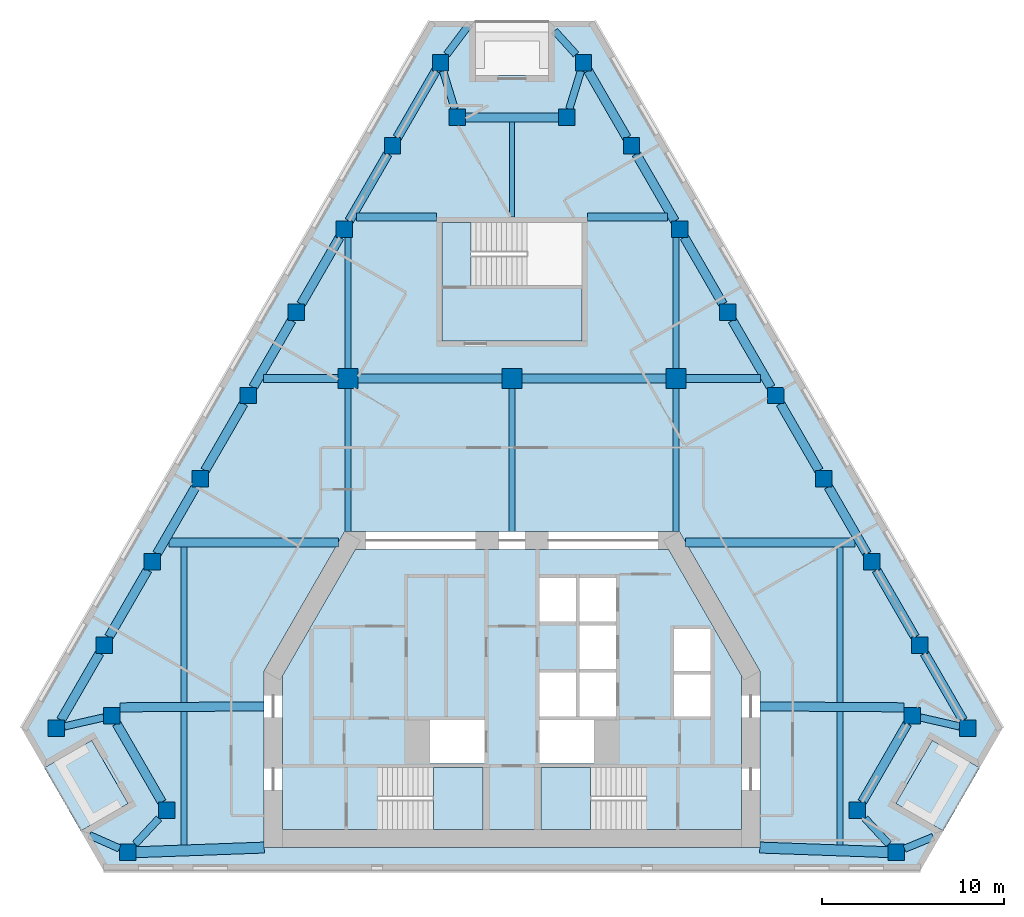
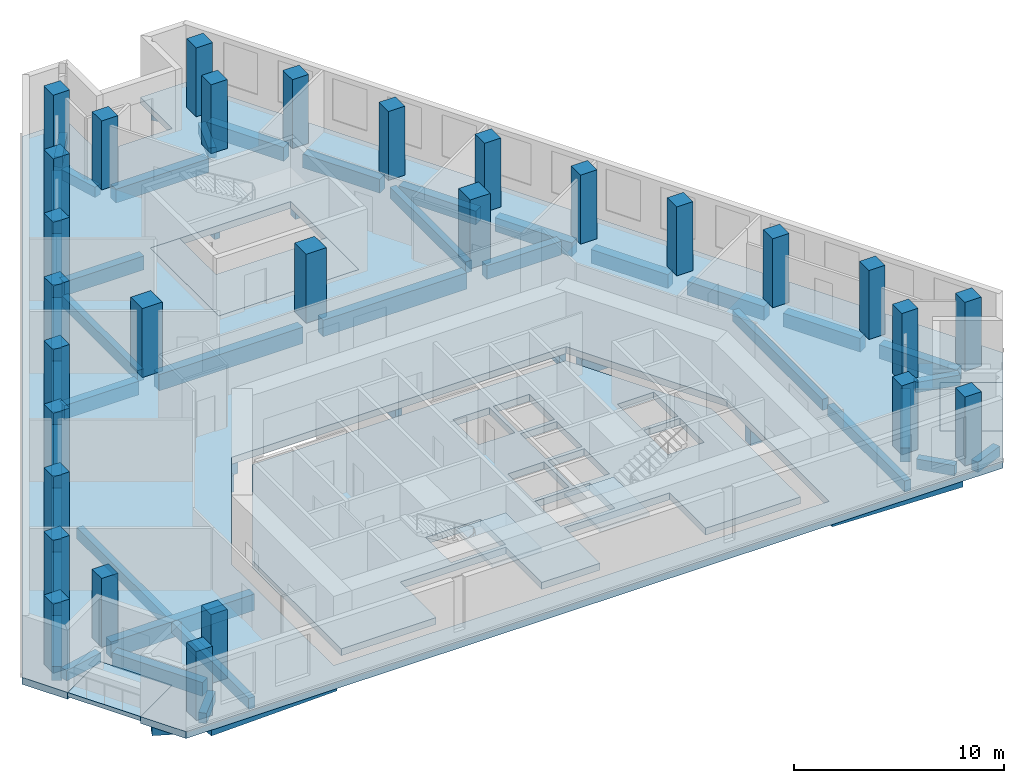
# One storey, part 1 of 8: 51 beams, 29 columns, 7 slabs, 2 elements without a shape of their own.
"""IFC4 building model written with IfcOpenShell, lengths in metres."""

from ifc_helpers import new_model, si_unit, direction, frame, origin, origin_2d, place, context, subcontext, project, spatial, polyline, rectangle, outline, extrude, material, layer, layer_set, material_profile, profile_set, type_object, element, aggregate, save


model = new_model("IFC4")

# Units and contexts
model_context = context("Model", 3, precision=1e-05, world=origin(), true_north=direction((0.0, 1.0)))
body_context = subcontext(model_context, "Body", "Model", "MODEL_VIEW")
ifc_project = project(units=[si_unit("LENGTHUNIT", "METRE"), si_unit("AREAUNIT", "SQUARE_METRE"), si_unit("VOLUMEUNIT", "CUBIC_METRE"), si_unit("PLANEANGLEUNIT", "RADIAN"), si_unit("MASSUNIT", "GRAM", prefix="KILO")], contexts=[model_context])

# Site, building, storey
site_placement = place(None, origin())
site = spatial("IfcSite", under=ifc_project, at=site_placement, CompositionType="ELEMENT")
building_placement = place(site_placement, origin())
building = spatial("IfcBuilding", under=site, at=building_placement, Name="Fogline Exchange Tower", CompositionType="ELEMENT")
storey_placement = place(building_placement, frame((0.0, 0.0, 227.5)))
storey = spatial("IfcBuildingStorey", under=building, at=storey_placement, Name="L51", CompositionType="ELEMENT", Elevation=227.5)

# Columns
ifc_material_1 = material(Name="Concrete C60", Category="concrete")
ifc_material_profile_1 = material_profile(ifc_material_1, rectangle(XDim=1.10009765625, YDim=1.10009765625, at=origin_2d()), Name="RC 1100x1100")
ifc_profile_set_1 = profile_set([ifc_material_profile_1], Name="Concrete C60")
column_type_1 = type_object("IfcColumnType", Name="C05", PredefinedType="COLUMN", material=ifc_profile_set_1)
for number, where, z_axis, x_axis, name in (
    (1, (-9.0, 27.0, 0.0), (0.0, 0.0, 1.0), (1.0, 0.0, 0.0), "IC--9-27"),
    (2, (0.0, 27.0, 0.0), (0.0, 0.0, 1.0), (1.0, 0.0, 0.0), "IC-0-27"),
    (3, (9.0, 27.0, 0.0), (0.0, 0.0, 1.0), (1.0, 0.0, 0.0), "IC-9-27"),
):
    element("IfcColumn", number, at=place(storey_placement, frame(where, z_axis=z_axis, x_axis=x_axis)), inside=storey, type_object=column_type_1, Name=name, PredefinedType="COLUMN", context=body_context, shape_type="SweptSolid", body=[
        extrude(rectangle(XDim=1.10009765625, YDim=1.10009765625, at=origin_2d()), origin(), (0.0, 0.0, 1.0), 4.0),
    ])
ifc_material_profile_2 = material_profile(ifc_material_1, rectangle(XDim=0.89990234375, YDim=0.89990234375, at=origin_2d()), Name="RC 900x900")
ifc_profile_set_2 = profile_set([ifc_material_profile_2], Name="Concrete C60")
column_type_2 = type_object("IfcColumnType", Name="C06", PredefinedType="COLUMN", material=ifc_profile_set_2)
for number, where, z_axis, x_axis, name in (
    (4, (-25.0146484375, 7.794189453125, 0.0), (0.0, 0.0, 1.0), (1.0, 0.0, 0.0), "SW-a"),
    (5, (-21.955322265625, 8.4951171875, 0.0), (0.0, 0.0, 1.0), (1.0, 0.0, 0.0), "SW-p4"),
    (6, (-18.955322265625, 3.299072265625, 0.0), (0.0, 0.0, 1.0), (1.0, 0.0, 0.0), "SW-p3"),
    (7, (-21.092041015625, 1.0, 0.0), (0.0, 0.0, 1.0), (1.0, 0.0, 0.0), "SW-b"),
    (8, (21.092041015625, 1.0, 0.0), (0.0, 0.0, 1.0), (1.0, 0.0, 0.0), "SE-a"),
    (9, (18.955322265625, 3.299072265625, 0.0), (0.0, 0.0, 1.0), (1.0, 0.0, 0.0), "SE-p4"),
    (10, (21.955322265625, 8.4951171875, 0.0), (0.0, 0.0, 1.0), (1.0, 0.0, 0.0), "SE-p3"),
    (11, (25.0146484375, 7.794189453125, 0.0), (0.0, 0.0, 1.0), (1.0, 0.0, 0.0), "SE-b"),
    (12, (22.378173828125, 12.36083984375, 0.0), (0.0, 0.0, 1.0), (1.0, 0.0, 0.0), "E1"),
    (13, (19.74169921875, 16.92724609375, 0.0), (0.0, 0.0, 1.0), (1.0, 0.0, 0.0), "E2"),
    (14, (17.105224609375, 21.493896484375, 0.0), (0.0, 0.0, 1.0), (1.0, 0.0, 0.0), "E3"),
    (15, (14.46875, 26.060302734375, 0.0), (0.0, 0.0, 1.0), (1.0, 0.0, 0.0), "E4"),
    (16, (11.832275390625, 30.626953125, 0.0), (0.0, 0.0, 1.0), (1.0, 0.0, 0.0), "E5"),
    (17, (9.19580078125, 35.193603515625, 0.0), (0.0, 0.0, 1.0), (1.0, 0.0, 0.0), "E6"),
    (18, (6.55908203125, 39.760009765625, 0.0), (0.0, 0.0, 1.0), (1.0, 0.0, 0.0), "E7"),
    (19, (3.922607421875, 44.32666015625, 0.0), (0.0, 0.0, 1.0), (1.0, 0.0, 0.0), "N-a"),
    (20, (3.0, 41.32666015625, 0.0), (0.0, 0.0, 1.0), (1.0, 0.0, 0.0), "N-p4"),
    (21, (-3.0, 41.32666015625, 0.0), (0.0, 0.0, 1.0), (1.0, 0.0, 0.0), "N-p3"),
    (22, (-3.922607421875, 44.32666015625, 0.0), (0.0, 0.0, 1.0), (1.0, 0.0, 0.0), "N-b"),
    (23, (-6.55908203125, 39.760009765625, 0.0), (0.0, 0.0, 1.0), (1.0, 0.0, 0.0), "W1"),
    (24, (-9.19580078125, 35.193603515625, 0.0), (0.0, 0.0, 1.0), (1.0, 0.0, 0.0), "W2"),
    (25, (-11.832275390625, 30.626953125, 0.0), (0.0, 0.0, 1.0), (1.0, 0.0, 0.0), "W3"),
    (26, (-14.46875, 26.060302734375, 0.0), (0.0, 0.0, 1.0), (1.0, 0.0, 0.0), "W4"),
    (27, (-17.105224609375, 21.493896484375, 0.0), (0.0, 0.0, 1.0), (1.0, 0.0, 0.0), "W5"),
    (28, (-19.74169921875, 16.92724609375, 0.0), (0.0, 0.0, 1.0), (1.0, 0.0, 0.0), "W6"),
    (29, (-22.378173828125, 12.36083984375, 0.0), (0.0, 0.0, 1.0), (1.0, 0.0, 0.0), "W7"),
):
    element("IfcColumn", number, at=place(storey_placement, frame(where, z_axis=z_axis, x_axis=x_axis)), inside=storey, type_object=column_type_2, Name=name, PredefinedType="COLUMN", context=body_context, shape_type="SweptSolid", body=[
        extrude(rectangle(XDim=0.89990234375, YDim=0.89990234375, at=origin_2d()), origin(), (0.0, 0.0, 1.0), 4.0),
    ])

# Beams
ifc_material_2 = material(Name="Concrete C40", Category="concrete")
ifc_material_profile_3 = material_profile(ifc_material_2, rectangle(XDim=0.300048828125, YDim=0.60009765625, at=origin_2d()), Name="RC 300x600")
ifc_profile_set_3 = profile_set([ifc_material_profile_3], Name="Concrete C40")
beam_type_1 = type_object("IfcBeamType", Name="B06", PredefinedType="BEAM", material=ifc_profile_set_3)
beam_1_placement = place(storey_placement, frame((0.0, 35.85693359375, -0.699951171875), z_axis=(0.0, 1.0, 0.0), x_axis=(-1.0, 0.0, 0.0)))
element("IfcBeam", 30, at=beam_1_placement, inside=storey, type_object=beam_type_1, Name="SB006", PredefinedType="BEAM", context=body_context, shape_type="SweptSolid", body=[
    extrude(rectangle(XDim=0.300048828125, YDim=0.60009765625, at=origin_2d()), origin(), (0.0, 0.0, 1.0), 5.2197265625),
])
ifc_material_profile_4 = material_profile(ifc_material_2, rectangle(XDim=0.60009765625, YDim=0.89990234375, at=origin_2d()), Name="RC 600x900")
ifc_profile_set_4 = profile_set([ifc_material_profile_4], Name="Concrete C40")
beam_type_2 = type_object("IfcBeamType", Name="B09", PredefinedType="BEAM", material=ifc_profile_set_4)
beam_2_placement = place(storey_placement, frame((-20.64208984375, 0.99462890625, -0.85009765625), z_axis=(0.999343107492, 0.036240219472, 0.0), x_axis=(-0.036240219472, 0.999343107492, 0.0)))
element("IfcBeam", 31, at=beam_2_placement, inside=storey, type_object=beam_type_2, Name="RB004", PredefinedType="BEAM", context=body_context, shape_type="SweptSolid", body=[
    extrude(rectangle(XDim=0.60009765625, YDim=0.89990234375, at=origin_2d()), origin(), (0.0, 0.0, 1.0), 7.046630859375),
])
beam_3_placement = place(storey_placement, frame((13.60009765625, 1.25, -0.85009765625), z_axis=(0.99937042328, -0.035478966629, 0.0), x_axis=(0.035478966629, 0.99937042328, 0.0)))
element("IfcBeam", 32, at=beam_3_placement, inside=storey, type_object=beam_type_2, Name="RB005", PredefinedType="BEAM", context=body_context, shape_type="SweptSolid", body=[
    extrude(rectangle(XDim=0.60009765625, YDim=0.89990234375, at=origin_2d()), origin(), (0.0, 0.0, 1.0), 7.04638671875),
])
ifc_material_profile_5 = material_profile(ifc_material_2, rectangle(XDim=0.5, YDim=0.800048828125, at=origin_2d()), Name="RC 500x800")
ifc_profile_set_5 = profile_set([ifc_material_profile_5], Name="Concrete C40")
beam_type_3 = type_object("IfcBeamType", Name="B10", PredefinedType="BEAM", material=ifc_profile_set_5)
for number, where, z_axis, x_axis, name in (
    (33, (-21.6953125, 8.045166015625, -0.800048828125), (0.499976646485, -0.866038886523, 0.0), (0.866038886523, 0.499976646485, 0.0), "RB002"),
    (34, (19.215087890625, 3.7490234375, -0.800048828125), (0.499976646485, 0.866038886523, 0.0), (-0.866038886523, 0.499976646485, 0.0), "RB007"),
):
    element("IfcBeam", number, at=place(storey_placement, frame(where, z_axis=z_axis, x_axis=x_axis)), inside=storey, type_object=beam_type_3, Name=name, PredefinedType="BEAM", context=body_context, shape_type="SweptSolid", body=[
        extrude(rectangle(XDim=0.5, YDim=0.800048828125, at=origin_2d()), origin(), (0.0, 0.0, 1.0), 4.960693359375),
    ])
beam_4_placement = place(storey_placement, frame((24.7548828125, 8.244140625, -0.800048828125), z_axis=(-0.499990325971, 0.866030989016, 0.0), x_axis=(-0.866030989016, -0.499990325971, 0.0)))
element("IfcBeam", 35, at=beam_4_placement, inside=storey, type_object=beam_type_3, Name="RB009", PredefinedType="BEAM", context=body_context, shape_type="SweptSolid", body=[
    extrude(rectangle(XDim=0.5, YDim=0.800048828125, at=origin_2d()), origin(), (0.0, 0.0, 1.0), 4.23388671875),
])
beam_5_placement = place(storey_placement, frame((22.118408203125, 12.810791015625, -0.800048828125), z_axis=(-0.500015295222, 0.866016572904, 0.0), x_axis=(-0.866016572904, -0.500015295222, 0.0)))
element("IfcBeam", 36, at=beam_5_placement, inside=storey, type_object=beam_type_3, Name="RB010", PredefinedType="BEAM", context=body_context, shape_type="SweptSolid", body=[
    extrude(rectangle(XDim=0.5, YDim=0.800048828125, at=origin_2d()), origin(), (0.0, 0.0, 1.0), 4.233642578125),
])
beam_6_placement = place(storey_placement, frame((19.481689453125, 17.377197265625, -0.800048828125), z_axis=(-0.499947076772, 0.866055956868, 0.0), x_axis=(-0.866055956868, -0.499947076772, 0.0)))
element("IfcBeam", 37, at=beam_6_placement, inside=storey, type_object=beam_type_3, Name="RB011", PredefinedType="BEAM", context=body_context, shape_type="SweptSolid", body=[
    extrude(rectangle(XDim=0.5, YDim=0.800048828125, at=origin_2d()), origin(), (0.0, 0.0, 1.0), 4.23388671875),
])
for number, where, z_axis, x_axis, name in (
    (38, (16.84521484375, 21.94384765625, -0.800048828125), (-0.499972045304, 0.866041542834, 0.0), (-0.866041542834, -0.499972045304, 0.0), "RB012"),
    (39, (14.208740234375, 26.510498046875, -0.800048828125), (-0.499972045304, 0.866041542834, 0.0), (-0.866041542834, -0.499972045304, 0.0), "RB013"),
    (40, (11.572265625, 31.076904296875, -0.800048828125), (-0.499972045304, 0.866041542834, 0.0), (-0.866041542834, -0.499972045304, 0.0), "RB014"),
    (41, (8.935791015625, 35.6435546875, -0.800048828125), (-0.499972045304, 0.866041542834, 0.0), (-0.866041542834, -0.499972045304, 0.0), "RB015"),
    (42, (6.29931640625, 40.210205078125, -0.800048828125), (-0.499972045304, 0.866041542834, 0.0), (-0.866041542834, -0.499972045304, 0.0), "RB016"),
):
    element("IfcBeam", number, at=place(storey_placement, frame(where, z_axis=z_axis, x_axis=x_axis)), inside=storey, type_object=beam_type_3, Name=name, PredefinedType="BEAM", context=body_context, shape_type="SweptSolid", body=[
        extrude(rectangle(XDim=0.5, YDim=0.800048828125, at=origin_2d()), origin(), (0.0, 0.0, 1.0), 4.233642578125),
    ])
beam_7_placement = place(storey_placement, frame((2.550048828125, 41.32666015625, -0.800048828125), z_axis=(-1.0, 0.0, 0.0), x_axis=(0.0, -1.0, 0.0)))
element("IfcBeam", 43, at=beam_7_placement, inside=storey, type_object=beam_type_3, Name="RB018", PredefinedType="BEAM", context=body_context, shape_type="SweptSolid", body=[
    extrude(rectangle(XDim=0.5, YDim=0.800048828125, at=origin_2d()), origin(), (0.0, 0.0, 1.0), 5.10009765625),
])
for number, where, z_axis, x_axis, name in (
    (44, (-4.1826171875, 43.876708984375, -0.800048828125), (-0.499972045304, -0.866041542834, 0.0), (0.866041542834, -0.499972045304, 0.0), "RB020"),
    (45, (-6.819091796875, 39.31005859375, -0.800048828125), (-0.499972045304, -0.866041542834, 0.0), (0.866041542834, -0.499972045304, 0.0), "RB021"),
    (46, (-9.45556640625, 34.743408203125, -0.800048828125), (-0.499972045304, -0.866041542834, 0.0), (0.866041542834, -0.499972045304, 0.0), "RB022"),
    (47, (-12.092041015625, 30.177001953125, -0.800048828125), (-0.499972045304, -0.866041542834, 0.0), (0.866041542834, -0.499972045304, 0.0), "RB023"),
    (48, (-14.728515625, 25.6103515625, -0.800048828125), (-0.499972045304, -0.866041542834, 0.0), (0.866041542834, -0.499972045304, 0.0), "RB024"),
):
    element("IfcBeam", number, at=place(storey_placement, frame(where, z_axis=z_axis, x_axis=x_axis)), inside=storey, type_object=beam_type_3, Name=name, PredefinedType="BEAM", context=body_context, shape_type="SweptSolid", body=[
        extrude(rectangle(XDim=0.5, YDim=0.800048828125, at=origin_2d()), origin(), (0.0, 0.0, 1.0), 4.233642578125),
    ])
beam_8_placement = place(storey_placement, frame((-17.364990234375, 21.0439453125, -0.800048828125), z_axis=(-0.499947076772, -0.866055956868, 0.0), x_axis=(0.866055956868, -0.499947076772, 0.0)))
element("IfcBeam", 49, at=beam_8_placement, inside=storey, type_object=beam_type_3, Name="RB025", PredefinedType="BEAM", context=body_context, shape_type="SweptSolid", body=[
    extrude(rectangle(XDim=0.5, YDim=0.800048828125, at=origin_2d()), origin(), (0.0, 0.0, 1.0), 4.23388671875),
])
beam_9_placement = place(storey_placement, frame((-20.00146484375, 16.477294921875, -0.800048828125), z_axis=(-0.500015295222, -0.866016572904, 0.0), x_axis=(0.866016572904, -0.500015295222, 0.0)))
element("IfcBeam", 50, at=beam_9_placement, inside=storey, type_object=beam_type_3, Name="RB026", PredefinedType="BEAM", context=body_context, shape_type="SweptSolid", body=[
    extrude(rectangle(XDim=0.5, YDim=0.800048828125, at=origin_2d()), origin(), (0.0, 0.0, 1.0), 4.233642578125),
])
beam_10_placement = place(storey_placement, frame((-22.637939453125, 11.910888671875, -0.800048828125), z_axis=(-0.499990325971, -0.866030989016, 0.0), x_axis=(0.866030989016, -0.499990325971, 0.0)))
element("IfcBeam", 51, at=beam_10_placement, inside=storey, type_object=beam_type_3, Name="RB027", PredefinedType="BEAM", context=body_context, shape_type="SweptSolid", body=[
    extrude(rectangle(XDim=0.5, YDim=0.800048828125, at=origin_2d()), origin(), (0.0, 0.0, 1.0), 4.23388671875),
])
ifc_material_profile_6 = material_profile(ifc_material_2, rectangle(XDim=0.39990234375, YDim=0.60009765625, at=origin_2d()), Name="RC 400x600")
ifc_profile_set_6 = profile_set([ifc_material_profile_6], Name="Concrete C40")
beam_type_4 = type_object("IfcBeamType", Name="B11", PredefinedType="BEAM", material=ifc_profile_set_6)
beam_11_placement = place(storey_placement, frame((-24.564697265625, 7.897216796875, -0.699951171875), z_axis=(0.974731818643, 0.223378337636, 0.0), x_axis=(-0.223378337636, 0.974731818643, 0.0)))
element("IfcBeam", 52, at=beam_11_placement, inside=storey, type_object=beam_type_4, Name="RB001", PredefinedType="BEAM", context=body_context, shape_type="SweptSolid", body=[
    extrude(rectangle(XDim=0.39990234375, YDim=0.60009765625, at=origin_2d()), origin(), (0.0, 0.0, 1.0), 2.21533203125),
])
for number, where, z_axis, x_axis, name in (
    (53, (-19.37353515625, 2.84912109375, -0.699951171875), (-0.68075009804, -0.732515736362, 0.0), (0.732515736362, -0.68075009804, 0.0), "RB003"),
    (54, (20.673828125, 1.449951171875, -0.699951171875), (-0.68075009804, 0.732515736362, 0.0), (-0.732515736362, -0.68075009804, 0.0), "RB006"),
):
    element("IfcBeam", number, at=place(storey_placement, frame(where, z_axis=z_axis, x_axis=x_axis)), inside=storey, type_object=beam_type_4, Name=name, PredefinedType="BEAM", context=body_context, shape_type="SweptSolid", body=[
        extrude(rectangle(XDim=0.39990234375, YDim=0.60009765625, at=origin_2d()), origin(), (0.0, 0.0, 1.0), 1.91015625),
    ])
beam_12_placement = place(storey_placement, frame((22.4052734375, 8.39208984375, -0.699951171875), z_axis=(0.974731818643, -0.223378337636, 0.0), x_axis=(0.223378337636, 0.974731818643, 0.0)))
element("IfcBeam", 55, at=beam_12_placement, inside=storey, type_object=beam_type_4, Name="RB008", PredefinedType="BEAM", context=body_context, shape_type="SweptSolid", body=[
    extrude(rectangle(XDim=0.39990234375, YDim=0.60009765625, at=origin_2d()), origin(), (0.0, 0.0, 1.0), 2.21533203125),
])
for number, where, z_axis, x_axis, name in (
    (56, (3.7841796875, 43.876708984375, -0.699951171875), (-0.293906253456, -0.95583425037, 0.0), (0.95583425037, -0.293906253456, 0.0), "RB017"),
    (57, (-3.138427734375, 41.776611328125, -0.699951171875), (-0.293906253456, 0.95583425037, 0.0), (-0.95583425037, -0.293906253456, 0.0), "RB019"),
):
    element("IfcBeam", number, at=place(storey_placement, frame(where, z_axis=z_axis, x_axis=x_axis)), inside=storey, type_object=beam_type_4, Name=name, PredefinedType="BEAM", context=body_context, shape_type="SweptSolid", body=[
        extrude(rectangle(XDim=0.39990234375, YDim=0.60009765625, at=origin_2d()), origin(), (0.0, 0.0, 1.0), 2.197021484375),
    ])
beam_13_placement = place(storey_placement, frame((-3.584228515625, 44.776611328125, -0.699951171875), z_axis=(0.600886339701, 0.7993344774, 0.0), x_axis=(-0.7993344774, 0.600886339701, 0.0)))
element("IfcBeam", 58, at=beam_13_placement, inside=storey, type_object=beam_type_4, Name="SP028", PredefinedType="BEAM", context=body_context, shape_type="SweptSolid", body=[
    extrude(rectangle(XDim=0.39990234375, YDim=0.60009765625, at=origin_2d()), origin(), (0.0, 0.0, 1.0), 2.070556640625),
])
beam_14_placement = place(storey_placement, frame((3.513916015625, 44.776611328125, -0.699951171875), z_axis=(-0.672492366822, 0.740104057931, 0.0), x_axis=(-0.740104057931, -0.672492366822, 0.0)))
element("IfcBeam", 59, at=beam_14_placement, inside=storey, type_object=beam_type_4, Name="SP029", PredefinedType="BEAM", context=body_context, shape_type="SweptSolid", body=[
    extrude(rectangle(XDim=0.39990234375, YDim=0.60009765625, at=origin_2d()), origin(), (0.0, 0.0, 1.0), 1.751220703125),
])
beam_15_placement = place(storey_placement, frame((-21.5419921875, 1.199951171875, -0.699951171875), z_axis=(-0.913783638153, 0.406201258791, 0.0), x_axis=(-0.406201258791, -0.913783638153, 0.0)))
element("IfcBeam", 60, at=beam_15_placement, inside=storey, type_object=beam_type_4, Name="SP030", PredefinedType="BEAM", context=body_context, shape_type="SweptSolid", body=[
    extrude(rectangle(XDim=0.39990234375, YDim=0.60009765625, at=origin_2d()), origin(), (0.0, 0.0, 1.0), 1.8037109375),
])
beam_16_placement = place(storey_placement, frame((21.5419921875, 1.185302734375, -0.699951171875), z_axis=(0.924684018073, 0.380735428771, 0.0), x_axis=(-0.380735428771, 0.924684018073, 0.0)))
element("IfcBeam", 61, at=beam_16_placement, inside=storey, type_object=beam_type_4, Name="SP031", PredefinedType="BEAM", context=body_context, shape_type="SweptSolid", body=[
    extrude(rectangle(XDim=0.39990234375, YDim=0.60009765625, at=origin_2d()), origin(), (0.0, 0.0, 1.0), 1.708251953125),
])
ifc_material_profile_7 = material_profile(ifc_material_2, rectangle(XDim=0.5, YDim=0.949951171875, at=origin_2d()), Name="RC 500x950")
ifc_profile_set_7 = profile_set([ifc_material_profile_7], Name="Concrete C40")
beam_type_5 = type_object("IfcBeamType", Name="B14", PredefinedType="BEAM", material=ifc_profile_set_7)
for number, where, z_axis, x_axis, name in (
    (62, (-21.50537109375, 8.9453125, -0.875), (0.999976072531, 0.006917684998, 0.0), (-0.006917684998, 0.999976072531, 0.0), "GB001"),
    (63, (13.60009765625, 9.0, -0.875), (0.999976072531, -0.006917684998, 0.0), (0.006917684998, 0.999976072531, 0.0), "GB002"),
):
    element("IfcBeam", number, at=place(storey_placement, frame(where, z_axis=z_axis, x_axis=x_axis)), inside=storey, type_object=beam_type_5, Name=name, PredefinedType="BEAM", context=body_context, shape_type="SweptSolid", body=[
        extrude(rectangle(XDim=0.5, YDim=0.949951171875, at=origin_2d()), origin(), (0.0, 0.0, 1.0), 7.905517578125),
    ])
for number, where, z_axis, x_axis, name in (
    (64, (-18.833740234375, 18.0, -0.875), (1.0, 0.0, 0.0), (0.0, 1.0, 0.0), "GB003"),
    (65, (9.527099609375, 18.0, -0.875), (1.0, 0.0, 0.0), (0.0, 1.0, 0.0), "GB004"),
):
    element("IfcBeam", number, at=place(storey_placement, frame(where, z_axis=z_axis, x_axis=x_axis)), inside=storey, type_object=beam_type_5, Name=name, PredefinedType="BEAM", context=body_context, shape_type="SweptSolid", body=[
        extrude(rectangle(XDim=0.5, YDim=0.949951171875, at=origin_2d()), origin(), (0.0, 0.0, 1.0), 9.306640625),
    ])
for number, where, z_axis, x_axis, name in (
    (66, (-8.449951171875, 27.0, -0.875), (1.0, 0.0, 0.0), (0.0, 1.0, 0.0), "GB006"),
    (67, (0.550048828125, 27.0, -0.875), (1.0, 0.0, 0.0), (0.0, 1.0, 0.0), "GB007"),
):
    element("IfcBeam", number, at=place(storey_placement, frame(where, z_axis=z_axis, x_axis=x_axis)), inside=storey, type_object=beam_type_5, Name=name, PredefinedType="BEAM", context=body_context, shape_type="SweptSolid", body=[
        extrude(rectangle(XDim=0.5, YDim=0.949951171875, at=origin_2d()), origin(), (0.0, 0.0, 1.0), 7.89990234375),
    ])
ifc_material_profile_8 = material_profile(ifc_material_2, rectangle(XDim=0.35009765625, YDim=0.64990234375, at=origin_2d()), Name="RC 350x650")
ifc_profile_set_8 = profile_set([ifc_material_profile_8], Name="Concrete C40")
beam_type_6 = type_object("IfcBeamType", Name="B16", PredefinedType="BEAM", material=ifc_profile_set_8)
beam_17_placement = place(storey_placement, frame((-18.0, 1.390625, -0.72509765625), z_axis=(0.0, 1.0, 0.0), x_axis=(-1.0, 0.0, 0.0)))
element("IfcBeam", 68, at=beam_17_placement, inside=storey, type_object=beam_type_6, Name="SB001", PredefinedType="BEAM", context=body_context, shape_type="SweptSolid", body=[
    extrude(rectangle(XDim=0.35009765625, YDim=0.64990234375, at=origin_2d()), origin(), (0.0, 0.0, 1.0), 7.328857421875),
])
beam_18_placement = place(storey_placement, frame((-18.0, 9.219482421875, -0.72509765625), z_axis=(0.0, 1.0, 0.0), x_axis=(-1.0, 0.0, 0.0)))
element("IfcBeam", 69, at=beam_18_placement, inside=storey, type_object=beam_type_6, Name="SB002", PredefinedType="BEAM", context=body_context, shape_type="SweptSolid", body=[
    extrude(rectangle(XDim=0.35009765625, YDim=0.64990234375, at=origin_2d()), origin(), (0.0, 0.0, 1.0), 8.530517578125),
])
beam_19_placement = place(storey_placement, frame((-9.0, 18.60009765625, -0.72509765625), z_axis=(0.0, 1.0, 0.0), x_axis=(-1.0, 0.0, 0.0)))
element("IfcBeam", 70, at=beam_19_placement, inside=storey, type_object=beam_type_6, Name="SB003", PredefinedType="BEAM", context=body_context, shape_type="SweptSolid", body=[
    extrude(rectangle(XDim=0.35009765625, YDim=0.64990234375, at=origin_2d()), origin(), (0.0, 0.0, 1.0), 7.849853515625),
])
beam_20_placement = place(storey_placement, frame((-9.0, 27.550048828125, -0.72509765625), z_axis=(0.0, 1.0, 0.0), x_axis=(-1.0, 0.0, 0.0)))
element("IfcBeam", 71, at=beam_20_placement, inside=storey, type_object=beam_type_6, Name="SB004", PredefinedType="BEAM", context=body_context, shape_type="SweptSolid", body=[
    extrude(rectangle(XDim=0.35009765625, YDim=0.64990234375, at=origin_2d()), origin(), (0.0, 0.0, 1.0), 7.193359375),
])
for number, where, z_axis, x_axis, name in (
    (72, (0.0, 18.60009765625, -0.72509765625), (0.0, 1.0, 0.0), (-1.0, 0.0, 0.0), "SB005"),
    (73, (9.0, 18.60009765625, -0.72509765625), (0.0, 1.0, 0.0), (-1.0, 0.0, 0.0), "SB007"),
):
    element("IfcBeam", number, at=place(storey_placement, frame(where, z_axis=z_axis, x_axis=x_axis)), inside=storey, type_object=beam_type_6, Name=name, PredefinedType="BEAM", context=body_context, shape_type="SweptSolid", body=[
        extrude(rectangle(XDim=0.35009765625, YDim=0.64990234375, at=origin_2d()), origin(), (0.0, 0.0, 1.0), 7.849853515625),
    ])
beam_21_placement = place(storey_placement, frame((9.0, 27.550048828125, -0.72509765625), z_axis=(0.0, 1.0, 0.0), x_axis=(-1.0, 0.0, 0.0)))
element("IfcBeam", 74, at=beam_21_placement, inside=storey, type_object=beam_type_6, Name="SB008", PredefinedType="BEAM", context=body_context, shape_type="SweptSolid", body=[
    extrude(rectangle(XDim=0.35009765625, YDim=0.64990234375, at=origin_2d()), origin(), (0.0, 0.0, 1.0), 7.193359375),
])
beam_22_placement = place(storey_placement, frame((18.0, 1.39404296875, -0.72509765625), z_axis=(0.0, 1.0, 0.0), x_axis=(-1.0, 0.0, 0.0)))
element("IfcBeam", 75, at=beam_22_placement, inside=storey, type_object=beam_type_6, Name="SB009", PredefinedType="BEAM", context=body_context, shape_type="SweptSolid", body=[
    extrude(rectangle(XDim=0.35009765625, YDim=0.64990234375, at=origin_2d()), origin(), (0.0, 0.0, 1.0), 7.325439453125),
])
beam_23_placement = place(storey_placement, frame((18.0, 9.219482421875, -0.72509765625), z_axis=(0.0, 1.0, 0.0), x_axis=(-1.0, 0.0, 0.0)))
element("IfcBeam", 76, at=beam_23_placement, inside=storey, type_object=beam_type_6, Name="SB010", PredefinedType="BEAM", context=body_context, shape_type="SweptSolid", body=[
    extrude(rectangle(XDim=0.35009765625, YDim=0.64990234375, at=origin_2d()), origin(), (0.0, 0.0, 1.0), 8.530517578125),
])
ifc_material_profile_9 = material_profile(ifc_material_2, rectangle(XDim=0.449951171875, YDim=0.800048828125, at=origin_2d()), Name="RC 450x800")
ifc_profile_set_9 = profile_set([ifc_material_profile_9], Name="Concrete C40")
beam_type_7 = type_object("IfcBeamType", Name="B18", PredefinedType="BEAM", material=ifc_profile_set_9)
for number, where, z_axis, x_axis, name in (
    (77, (-13.637451171875, 27.0, -0.800048828125), (1.0, 0.0, 0.0), (0.0, 1.0, 0.0), "GB005"),
    (78, (9.550048828125, 27.0, -0.800048828125), (1.0, 0.0, 0.0), (0.0, 1.0, 0.0), "GB008"),
):
    element("IfcBeam", number, at=place(storey_placement, frame(where, z_axis=z_axis, x_axis=x_axis)), inside=storey, type_object=beam_type_7, Name=name, PredefinedType="BEAM", context=body_context, shape_type="SweptSolid", body=[
        extrude(rectangle(XDim=0.449951171875, YDim=0.800048828125, at=origin_2d()), origin(), (0.0, 0.0, 1.0), 4.08740234375),
    ])
for number, where, z_axis, x_axis, name in (
    (79, (-8.52392578125, 35.85693359375, -0.800048828125), (1.0, 0.0, 0.0), (0.0, 1.0, 0.0), "GB009"),
    (80, (4.14990234375, 35.85693359375, -0.800048828125), (1.0, 0.0, 0.0), (0.0, 1.0, 0.0), "GB010"),
):
    element("IfcBeam", number, at=place(storey_placement, frame(where, z_axis=z_axis, x_axis=x_axis)), inside=storey, type_object=beam_type_7, Name=name, PredefinedType="BEAM", context=body_context, shape_type="SweptSolid", body=[
        extrude(rectangle(XDim=0.449951171875, YDim=0.800048828125, at=origin_2d()), origin(), (0.0, 0.0, 1.0), 4.3740234375),
    ])

# Slabs
ifc_layer_1 = layer(ifc_material_2, 0.25)
ifc_layer_set_1 = layer_set([ifc_layer_1], Name="DK1")
slab_type_1 = type_object("IfcSlabType", Name="DK1", PredefinedType="FLOOR", material=ifc_layer_set_1)
slab_1_placement = place(storey_placement, frame((0.0, 0.0, -0.25)))
element("IfcSlab", 81, at=slab_1_placement, inside=storey, type_object=slab_type_1, Name="Balcony L51 SW", PredefinedType="FLOOR", context=body_context, shape_type="SweptSolid", body=[
    extrude(outline(polyline([(-25.6640625, 5.629150390625), (-23.6640625, 2.1650390625), (-21.066162109375, 3.6650390625), (-23.066162109375, 7.129150390625), (-25.6640625, 5.629150390625)])), origin(), (0.0, 0.0, 1.0), 0.25),
])
slab_2_placement = place(storey_placement, frame((0.0, 0.0, -0.25)))
element("IfcSlab", 82, at=slab_2_placement, inside=storey, type_object=slab_type_1, Name="Balcony L51 SE", PredefinedType="FLOOR", context=body_context, shape_type="SweptSolid", body=[
    extrude(outline(polyline([(23.6640625, 2.1650390625), (25.6640625, 5.629150390625), (23.066162109375, 7.129150390625), (21.066162109375, 3.6650390625), (23.6640625, 2.1650390625)])), origin(), (0.0, 0.0, 1.0), 0.25),
])
ifc_layer_2 = layer(ifc_material_2, 0.39990234375)
ifc_layer_set_2 = layer_set([ifc_layer_2], Name="S03")
slab_type_2 = type_object("IfcSlabType", Name="S03", PredefinedType="FLOOR", material=ifc_layer_set_2)
slab_3_placement = place(storey_placement, frame((0.0, 0.0, -0.39990234375)))
element("IfcSlab", 83, at=slab_3_placement, inside=storey, type_object=slab_type_2, Name="SLAB L51", PredefinedType="FLOOR", context=body_context, shape_type="SweptSolid", body=[
    extrude(outline(polyline([(-2.0, 46.61669921875), (-4.5, 46.61669921875), (-26.9140625, 7.794189453125), (-25.6640625, 5.629150390625), (-23.066162109375, 7.129150390625), (-21.066162109375, 3.6650390625), (-23.6640625, 2.1650390625), (-22.4140625, 0.0), (22.4140625, 0.0), (23.6640625, 2.1650390625), (21.066162109375, 3.6650390625), (23.066162109375, 7.129150390625), (25.6640625, 5.629150390625), (26.9140625, 7.794189453125), (4.5, 46.61669921875), (2.0, 46.61669921875), (2.0, 43.61669921875), (-2.0, 43.61669921875), (-2.0, 46.61669921875)]), holes=[polyline([(13.60009765625, 10.9453125), (13.60009765625, 1.25), (-13.60009765625, 1.25), (-13.60009765625, 10.9453125), (-9.1806640625, 18.60009765625), (9.1806640625, 18.60009765625), (13.60009765625, 10.9453125)]), polyline([(3.85009765625, 35.556884765625), (3.85009765625, 29.056884765625), (-3.85009765625, 29.056884765625), (-3.85009765625, 35.556884765625), (3.85009765625, 35.556884765625)])]), origin(), (0.0, 0.0, 1.0), 0.39990234375),
])
slab_4_placement = place(storey_placement, frame((0.0, 0.0, -0.39990234375)))
element("IfcSlab", 84, at=slab_4_placement, inside=storey, type_object=slab_type_2, Name="Core floor slab", PredefinedType="FLOOR", context=body_context, shape_type="SweptSolid", body=[
    extrude(outline(polyline([(-12.60009765625, 2.25), (-12.60009765625, 10.677490234375), (-8.603271484375, 17.60009765625), (8.603271484375, 17.60009765625), (12.60009765625, 10.677490234375), (12.60009765625, 2.25), (7.389892578125, 2.25), (7.389892578125, 5.64990234375), (1.60009765625, 5.64990234375), (1.60009765625, 2.25), (-1.60009765625, 2.25), (-1.60009765625, 5.64990234375), (-7.389892578125, 5.64990234375), (-7.389892578125, 2.25), (-12.60009765625, 2.25)]), holes=[polyline([(-4.5, 8.25), (-4.5, 5.85009765625), (-1.5, 5.85009765625), (-1.5, 8.25), (-4.5, 8.25)]), polyline([(4.5, 8.25), (1.5, 8.25), (1.5, 5.85009765625), (4.5, 5.85009765625), (4.5, 8.25)]), polyline([(3.5, 10.85009765625), (1.5, 10.85009765625), (1.5, 8.449951171875), (3.5, 8.449951171875), (3.5, 10.85009765625)]), polyline([(1.5, 16.050048828125), (1.5, 13.64990234375), (3.5, 13.64990234375), (3.5, 16.050048828125), (1.5, 16.050048828125)]), polyline([(10.89990234375, 10.75), (8.89990234375, 10.75), (8.89990234375, 8.449951171875), (10.89990234375, 8.449951171875), (10.89990234375, 10.75)]), polyline([(5.699951171875, 10.85009765625), (3.699951171875, 10.85009765625), (3.699951171875, 8.449951171875), (5.699951171875, 8.449951171875), (5.699951171875, 10.85009765625)]), polyline([(8.89990234375, 13.25), (8.89990234375, 10.949951171875), (10.89990234375, 10.949951171875), (10.89990234375, 13.25), (8.89990234375, 13.25)]), polyline([(5.699951171875, 13.449951171875), (3.699951171875, 13.449951171875), (3.699951171875, 11.050048828125), (5.699951171875, 11.050048828125), (5.699951171875, 13.449951171875)]), polyline([(5.699951171875, 16.050048828125), (3.699951171875, 16.050048828125), (3.699951171875, 13.64990234375), (5.699951171875, 13.64990234375), (5.699951171875, 16.050048828125)])]), origin(), (0.0, 0.0, 1.0), 0.39990234375),
])
slab_5_placement = place(storey_placement, frame((0.0, 0.0, -0.39990234375)))
element("IfcSlab", 85, at=slab_5_placement, inside=storey, type_object=slab_type_2, Name="Stair enclosure floor slab", PredefinedType="FLOOR", context=body_context, shape_type="SweptSolid", body=[
    extrude(outline(polyline([(3.85009765625, 29.056884765625), (-3.85009765625, 29.056884765625), (-3.85009765625, 35.556884765625), (-2.239990234375, 35.556884765625), (-2.239990234375, 32.10693359375), (3.85009765625, 32.10693359375), (3.85009765625, 29.056884765625)])), origin(), (0.0, 0.0, 1.0), 0.39990234375),
])

# Stair, slab
stair_type = type_object("IfcStairType", Name="STR24-1667", PredefinedType="HALF_TURN_STAIR", material=ifc_material_2)
stair_1_placement = place(storey_placement, origin())
stair_1 = element("IfcStair", 86, at=stair_1_placement, inside=storey, type_object=stair_type, Name="Stair ST1", PredefinedType="HALF_TURN_STAIR")
ifc_layer_3 = layer(ifc_material_2, 0.199951171875)
ifc_layer_set_3 = layer_set([ifc_layer_3], Name="SL200")
slab_type_3 = type_object("IfcSlabType", Name="SL200", PredefinedType="LANDING", material=ifc_layer_set_3)
slab_6_placement = place(storey_placement, frame((0.0, 0.0, 1.800048828125)))
slab_6 = element("IfcSlab", 87, at=slab_6_placement, type_object=slab_type_3, Name="ST1 landing 1", PredefinedType="LANDING", context=body_context, shape_type="SweptSolid", body=[
    extrude(outline(polyline([(-4.320068359375, 2.25), (-1.60009765625, 2.25), (-1.60009765625, 5.64990234375), (-4.320068359375, 5.64990234375), (-4.320068359375, 2.25)])), origin(), (0.0, 0.0, 1.0), 0.199951171875),
])
aggregate(stair_1, [slab_6])

stair_2_placement = place(storey_placement, origin())
stair_2 = element("IfcStair", 88, at=stair_2_placement, inside=storey, type_object=stair_type, Name="Stair ST2", PredefinedType="HALF_TURN_STAIR")
slab_7_placement = place(storey_placement, frame((0.0, 0.0, 1.800048828125)))
slab_7 = element("IfcSlab", 89, at=slab_7_placement, type_object=slab_type_3, Name="ST2 landing 1", PredefinedType="LANDING", context=body_context, shape_type="SweptSolid", body=[
    extrude(outline(polyline([(1.60009765625, 2.25), (4.320068359375, 2.25), (4.320068359375, 5.64990234375), (1.60009765625, 5.64990234375), (1.60009765625, 2.25)])), origin(), (0.0, 0.0, 1.0), 0.199951171875),
])
aggregate(stair_2, [slab_7])

save(model, "model.ifc")
